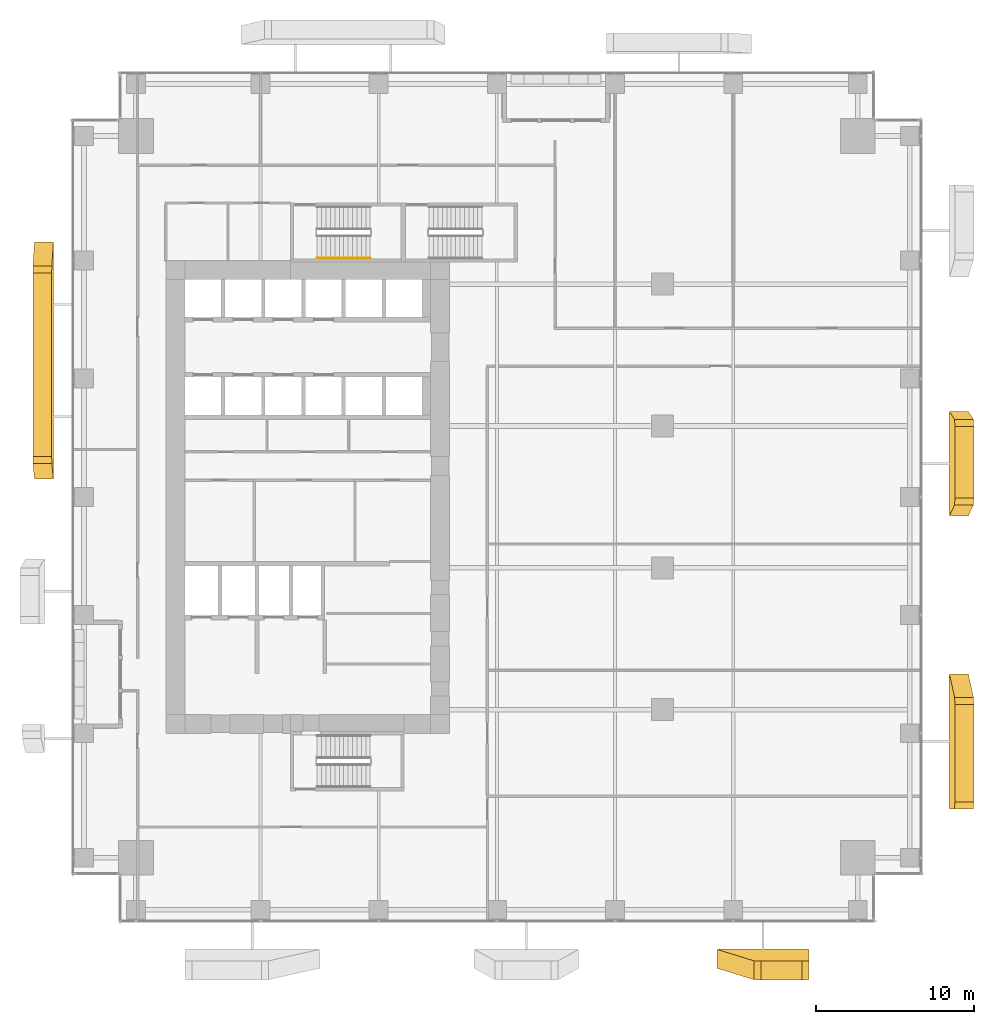
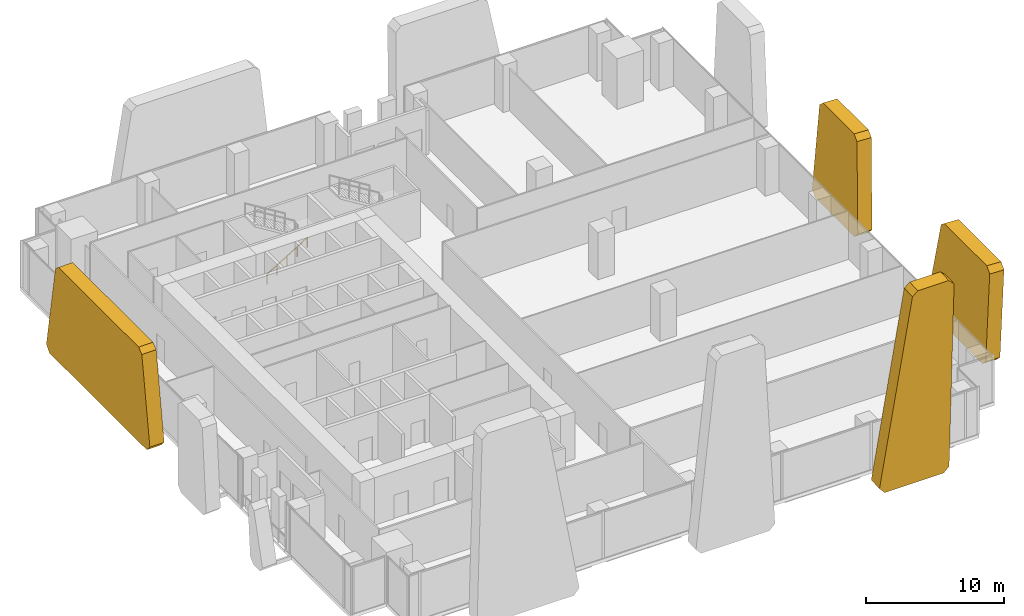
# One storey, part 32 of 34: 4 coverings, 1 railing.
"""IFC4 building model written with IfcOpenShell, lengths in metres."""

from ifc_helpers import new_model, si_unit, direction, frame, origin, origin_2d, place, context, subcontext, project, spatial, polyline, circle, outline, extrude, source, transform, mapped, material, layer, layer_set, type_object, element, save


model = new_model("IFC4")

# Units and contexts
model_context = context("Model", 3, precision=1e-05, world=origin(), true_north=direction((0.0, 1.0)))
body_context = subcontext(model_context, "Body", "Model", "MODEL_VIEW")
ifc_project = project(units=[si_unit("LENGTHUNIT", "METRE"), si_unit("AREAUNIT", "SQUARE_METRE"), si_unit("VOLUMEUNIT", "CUBIC_METRE"), si_unit("PLANEANGLEUNIT", "RADIAN"), si_unit("MASSUNIT", "GRAM", prefix="KILO")], contexts=[model_context])

# Site, building, storey
site_placement = place(None, origin())
site = spatial("IfcSite", under=ifc_project, at=site_placement, CompositionType="ELEMENT")
building_placement = place(site_placement, origin())
building = spatial("IfcBuilding", under=site, at=building_placement, Name="Khomas Fold Tower", CompositionType="ELEMENT")
storey_placement = place(building_placement, frame((0.0, 0.0, 51.0)))
storey = spatial("IfcBuildingStorey", under=building, at=storey_placement, Name="L10", CompositionType="ELEMENT", Elevation=51.0)

# Coverings
ifc_material_1 = material(Name="Natural stone cladding", Category="masonry")
ifc_layer = layer(ifc_material_1, 1.199951171875)
ifc_layer_set = layer_set([ifc_layer], Name="Natural stone cladding")
covering_type = type_object("IfcCoveringType", Name="SK-Karibib marble stone panel", PredefinedType="CLADDING", material=ifc_layer_set)
covering_1_placement = place(storey_placement, frame((46.800048828125, -2.437255859375, 17.10009765625), z_axis=(1.4258453e-05, 0.999042007942, 0.043761468952), x_axis=(7.3e-11, 0.043761468956, -0.999042008043)))
element("IfcCovering", 1, at=covering_1_placement, inside=storey, type_object=covering_type, Name="OUTER SKIN leaf L10 SS09-3", PredefinedType="CLADDING", context=body_context, shape_type="SweptSolid", body=[
    extrude(outline(polyline([(0.0, 0.0), (16.666108743726504, 1.6940658945086007e-21), (17.116494266107896, 0.44995117280212354), (17.116494265746393, 5.395751953549375), (16.60306328084016, 5.841308594199404), (-0.06280155597451906, 3.493896484910704), (-0.4503855226370925, 3.0483398424672696), (-0.45038552244716834, 0.44995117085639996), (0.0, 0.0)])), origin(), (0.0, 0.0, -1.0), 1.199951171875),
])
covering_2_placement = place(storey_placement, frame((56.046875, 14.27392578125, 8.1865234375), z_axis=(-0.999041978259, 1.47371e-05, 0.043762146427), x_axis=(-0.04294544457, 0.191962341368, -0.980462211555)))
element("IfcCovering", 2, at=covering_2_placement, inside=storey, type_object=covering_type, Name="OUTER SKIN leaf L10 ES03-1", PredefinedType="CLADDING", context=body_context, shape_type="SweptSolid", body=[
    extrude(outline(polyline([(0.0, 0.0), (7.8025863069620875, -2.220446049250313e-16), (8.244720416184258, 0.5365011842950567), (6.770415891095073, 8.073843301075355), (6.2420328266303144, 8.428969352196509), (-1.2730317605332435, 6.959022315307732), (-1.6286674640888936, 6.43098214345056), (-0.44188465879823835, 0.36358706355903847), (0.0, 0.0)])), origin(), (0.0, 0.0, -1.0), 1.199951171875),
])
covering_3_placement = place(storey_placement, frame((56.04443359375, 31.92236328125, 8.129638671875), z_axis=(-0.999041962466, -2.53503e-07, 0.043762509434), x_axis=(-0.043668260683, 0.065600321728, -0.996890004363)))
element("IfcCovering", 3, at=covering_3_placement, inside=storey, type_object=covering_type, Name="OUTER SKIN leaf L10 ES06-2", PredefinedType="CLADDING", context=body_context, shape_type="SweptSolid", body=[
    extrude(outline(polyline([(0.0, 0.0), (7.67401676563076, 0.0), (8.12348171859182, 0.4794924917976508), (7.74735292079164, 6.200784683352909), (7.227829408564983, 6.615595331528287), (-0.3673228870050656, 5.4197065684953305), (-0.7468628601433651, 4.945789750462857), (-0.44935515105517493, 0.42040232230316005), (0.0, 0.0)])), origin(), (0.0, 0.0, -1.0), 1.199951171875),
])
covering_4_placement = place(storey_placement, frame((-1.14306640625, 28.12255859375, 0.5078125), z_axis=(0.999913730808, 7.659139e-06, 0.013135101199), x_axis=(-0.013027475039, 0.128330989311, 0.991645824918)))
element("IfcCovering", 4, at=covering_4_placement, inside=storey, type_object=covering_type, Name="OUTER SKIN leaf L10 WS08-3", PredefinedType="CLADDING", context=body_context, shape_type="SweptSolid", body=[
    extrude(outline(polyline([(0.0, 0.0), (7.714350527182914, 1.1102230246251565e-16), (8.160746392924821, -0.3922459666896143), (9.65716844162323, -11.95647321836378), (9.353297007134794, -12.441127144357546), (1.9579966426088091, -14.908622982386282), (1.3693310093608453, -14.539464206006471), (-0.44638330302596724, -0.5077724444329839), (0.0, 0.0)])), origin(), (0.0, 0.0, -1.0), 1.199951171875),
])

# Railing
ifc_material_2 = material(Name="Steel handrail", Category="steel")
railing_type = type_object("IfcRailingType", Name="Stair handrail", PredefinedType="HANDRAIL", material=ifc_material_2)
shared_shape = source(origin(), body_context, "Body", "SweptSolid", [
    extrude(circle(Radius=0.02392578125, at=origin_2d()), frame((0.0, 0.0, 0.8759765625), z_axis=(0.850606129759, 0.0, 0.525803396734), x_axis=(0.0, 1.0, 0.0)), (0.0, 0.0, 1.0), 3.949951171875),
    extrude(circle(Radius=0.02099609375, at=origin_2d()), origin(), (0.0, 0.0, 1.0), 0.851806640625),
    extrude(circle(Radius=0.02099609375, at=origin_2d()), frame((0.83984375, 0.0, 0.519287109375)), (0.0, 0.0, 1.0), 0.851806640625),
    extrude(circle(Radius=0.02099609375, at=origin_2d()), frame((1.679931640625, 0.0, 1.03857421875)), (0.0, 0.0, 1.0), 0.851806640625),
    extrude(circle(Radius=0.02099609375, at=origin_2d()), frame((2.52001953125, 0.0, 1.5576171875)), (0.0, 0.0, 1.0), 0.851806640625),
    extrude(circle(Radius=0.02099609375, at=origin_2d()), frame((3.35986328125, 0.0, 2.076904296875)), (0.0, 0.0, 1.0), 0.851806640625),
])
railing_placement = place(storey_placement, frame((15.60009765625, 42.14990234375, 0.173095703125)))
element("IfcRailing", 5, at=railing_placement, inside=storey, type_object=railing_type, Name="L10 ST1 stair handrail 1", PredefinedType="HANDRAIL", context=body_context, shape_type="MappedRepresentation", body=[
    mapped(shared_shape, transform((0.0, 0.0, 0.0))),
])

save(model, "model.ifc")
